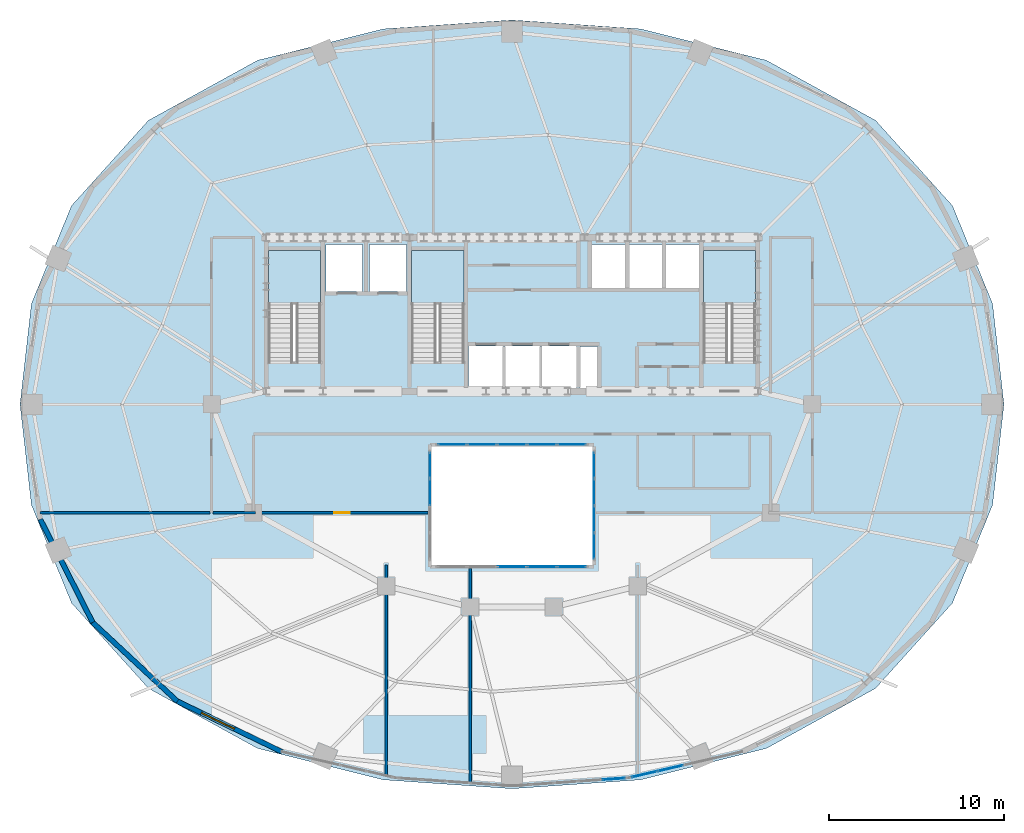
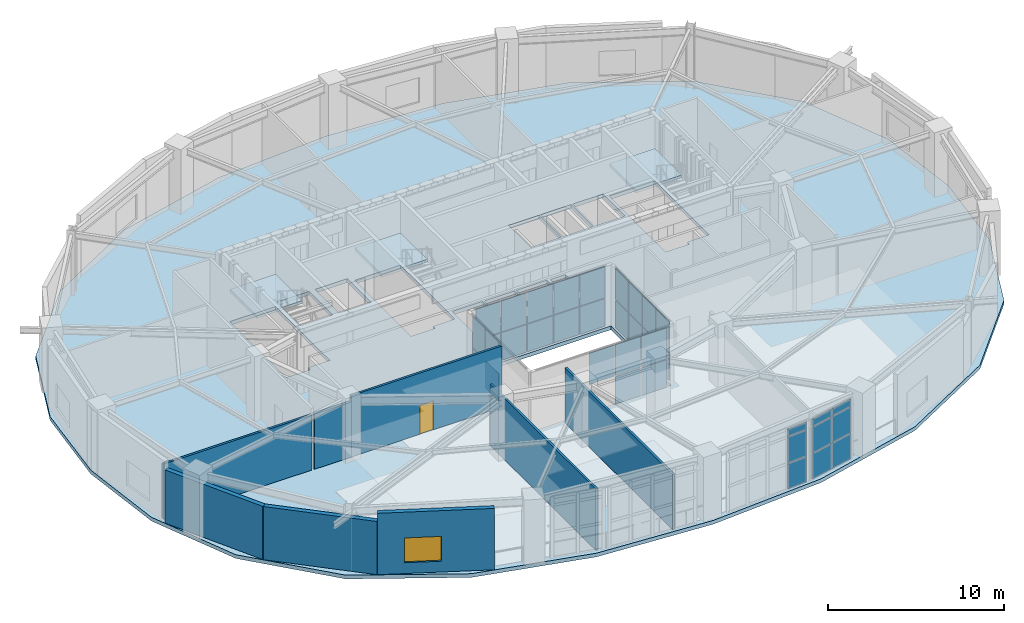
# One storey, part 8 of 13: 36 plates, 8 walls, 4 slabs, 1 door, 1 window, 2 openings, 9 elements without a shape of their own.
"""IFC4 building model written with IfcOpenShell, lengths in metres."""

from ifc_helpers import new_model, si_unit, direction, frame, frame_2d, origin, origin_2d, place, context, subcontext, project, spatial, polyline, rectangle, outline, extrude, material, layer, layer_set, type_object, element, fill, aggregate, save


model = new_model("IFC4")

# Units and contexts
model_context = context("Model", 3, precision=1e-05, world=origin(), true_north=direction((0.0, 1.0)))
body_context = subcontext(model_context, "Body", "Model", "MODEL_VIEW")
ifc_project = project(units=[si_unit("LENGTHUNIT", "METRE"), si_unit("AREAUNIT", "SQUARE_METRE"), si_unit("VOLUMEUNIT", "CUBIC_METRE"), si_unit("PLANEANGLEUNIT", "RADIAN"), si_unit("MASSUNIT", "GRAM", prefix="KILO")], contexts=[model_context])

# Site, building, storey
site_placement = place(None, origin())
site = spatial("IfcSite", under=ifc_project, at=site_placement, CompositionType="ELEMENT")
building_placement = place(site_placement, origin())
building = spatial("IfcBuilding", under=site, at=building_placement, Name="Haldorwick Loom Tower", CompositionType="ELEMENT")
storey_placement = place(building_placement, frame((0.0, 0.0, 188.949951171875)))
storey = spatial("IfcBuildingStorey", under=building, at=storey_placement, Name="L51", CompositionType="ELEMENT", Elevation=188.949951171875)

# Curtain wall, plates
ifc_material_1 = material(Name="Thermally Broken Anodized Aluminium Curtain Wall Framing", Category="aluminium")
curtain_wall_type_1 = type_object("IfcCurtainWallType", Name="ARC-CW-03", PredefinedType="NOTDEFINED", material=ifc_material_1)
curtain_wall_1_placement = place(storey_placement, origin())
curtain_wall_1 = element("IfcCurtainWall", 1, at=curtain_wall_1_placement, inside=storey, type_object=curtain_wall_type_1, Name="L51 Atrium Glazed Screen S", PredefinedType="NOTDEFINED")
ifc_material_2 = material(Name="Triple-Glazed Low-E Argon Insulated Glazing Unit", Category="glass")
ifc_layer_1 = layer(ifc_material_2, 0.04296875, Name="Triple-Glazed Low-E Argon Insulated Glazing Unit", Category="glass")
ifc_layer_set_1 = layer_set([ifc_layer_1], Name="Triple-Glazed Low-E Argon Insulated Glazing Unit")
plate_type_1 = type_object("IfcPlateType", Name="ARC-CWP-03", PredefinedType="CURTAIN_PANEL", material=ifc_layer_set_1)
plate_1_placement = place(storey_placement, frame((39.423583984375, 16.699951171875, 0.066162109375), z_axis=(0.0, 0.0, 1.0), x_axis=(-1.0, 0.0, 0.0)))
plate_1 = element("IfcPlate", 2, at=plate_1_placement, type_object=plate_type_1, Name="CW-03 panel 1.1", PredefinedType="CURTAIN_PANEL", context=body_context, shape_type="SweptSolid", body=[
    extrude(rectangle(XDim=1.62109375, YDim=0.04296875, at=origin_2d()), origin(), (0.0, 0.0, 1.0), 1.90087890625),
])
plate_2_placement = place(storey_placement, frame((39.423583984375, 16.699951171875, 2.033203125), z_axis=(0.0, 0.0, 1.0), x_axis=(-1.0, 0.0, 0.0)))
plate_2 = element("IfcPlate", 3, at=plate_2_placement, type_object=plate_type_1, Name="CW-03 panel 1.2", PredefinedType="CURTAIN_PANEL", context=body_context, shape_type="SweptSolid", body=[
    extrude(rectangle(XDim=1.62109375, YDim=0.04296875, at=origin_2d()), origin(), (0.0, 0.0, 1.0), 2.160888671875),
])
plate_3_placement = place(storey_placement, frame((37.719970703125, 16.699951171875, 0.066162109375), z_axis=(0.0, 0.0, 1.0), x_axis=(-1.0, 0.0, 0.0)))
plate_3 = element("IfcPlate", 4, at=plate_3_placement, type_object=plate_type_1, Name="CW-03 panel 2.1", PredefinedType="CURTAIN_PANEL", context=body_context, shape_type="SweptSolid", body=[
    extrude(rectangle(XDim=1.654052734375, YDim=0.04296875, at=origin_2d()), origin(), (0.0, 0.0, 1.0), 1.90087890625),
])
plate_4_placement = place(storey_placement, frame((37.719970703125, 16.699951171875, 2.033203125), z_axis=(0.0, 0.0, 1.0), x_axis=(-1.0, 0.0, 0.0)))
plate_4 = element("IfcPlate", 5, at=plate_4_placement, type_object=plate_type_1, Name="CW-03 panel 2.2", PredefinedType="CURTAIN_PANEL", context=body_context, shape_type="SweptSolid", body=[
    extrude(rectangle(XDim=1.654052734375, YDim=0.04296875, at=origin_2d()), origin(), (0.0, 0.0, 1.0), 2.160888671875),
])
plate_5_placement = place(storey_placement, frame((36.0, 16.699951171875, 2.033203125), z_axis=(0.0, 0.0, 1.0), x_axis=(-1.0, 0.0, 0.0)))
plate_5 = element("IfcPlate", 6, at=plate_5_placement, type_object=plate_type_1, Name="CW-03 panel 3.2", PredefinedType="CURTAIN_PANEL", context=body_context, shape_type="SweptSolid", body=[
    extrude(rectangle(XDim=1.654052734375, YDim=0.04296875, at=origin_2d()), origin(), (0.0, 0.0, 1.0), 2.160888671875),
])
aggregate(curtain_wall_1, [plate_1, plate_2, plate_3, plate_4, plate_5])

curtain_wall_2_placement = place(storey_placement, origin())
curtain_wall_2 = element("IfcCurtainWall", 7, at=curtain_wall_2_placement, inside=storey, type_object=curtain_wall_type_1, Name="L51 Atrium Glazed Screen N", PredefinedType="NOTDEFINED")
plate_6_placement = place(storey_placement, frame((32.576416015625, 23.699951171875, 0.066162109375), z_axis=(0.0, 0.0, 1.0), x_axis=(1.0, 0.0, 0.0)))
plate_6 = element("IfcPlate", 8, at=plate_6_placement, type_object=plate_type_1, Name="CW-03 panel 1.1", PredefinedType="CURTAIN_PANEL", context=body_context, shape_type="SweptSolid", body=[
    extrude(rectangle(XDim=1.62109375, YDim=0.04296875, at=origin_2d()), origin(), (0.0, 0.0, 1.0), 1.90087890625),
])
plate_7_placement = place(storey_placement, frame((32.576416015625, 23.699951171875, 2.033203125), z_axis=(0.0, 0.0, 1.0), x_axis=(1.0, 0.0, 0.0)))
plate_7 = element("IfcPlate", 9, at=plate_7_placement, type_object=plate_type_1, Name="CW-03 panel 1.2", PredefinedType="CURTAIN_PANEL", context=body_context, shape_type="SweptSolid", body=[
    extrude(rectangle(XDim=1.62109375, YDim=0.04296875, at=origin_2d()), origin(), (0.0, 0.0, 1.0), 2.160888671875),
])
plate_8_placement = place(storey_placement, frame((34.280029296875, 23.699951171875, 0.066162109375), z_axis=(0.0, 0.0, 1.0), x_axis=(1.0, 0.0, 0.0)))
plate_8 = element("IfcPlate", 10, at=plate_8_placement, type_object=plate_type_1, Name="CW-03 panel 2.1", PredefinedType="CURTAIN_PANEL", context=body_context, shape_type="SweptSolid", body=[
    extrude(rectangle(XDim=1.654052734375, YDim=0.04296875, at=origin_2d()), origin(), (0.0, 0.0, 1.0), 1.90087890625),
])
plate_9_placement = place(storey_placement, frame((34.280029296875, 23.699951171875, 2.033203125), z_axis=(0.0, 0.0, 1.0), x_axis=(1.0, 0.0, 0.0)))
plate_9 = element("IfcPlate", 11, at=plate_9_placement, type_object=plate_type_1, Name="CW-03 panel 2.2", PredefinedType="CURTAIN_PANEL", context=body_context, shape_type="SweptSolid", body=[
    extrude(rectangle(XDim=1.654052734375, YDim=0.04296875, at=origin_2d()), origin(), (0.0, 0.0, 1.0), 2.160888671875),
])
plate_10_placement = place(storey_placement, frame((36.0, 23.699951171875, 0.066162109375), z_axis=(0.0, 0.0, 1.0), x_axis=(1.0, 0.0, 0.0)))
plate_10 = element("IfcPlate", 12, at=plate_10_placement, type_object=plate_type_1, Name="CW-03 panel 3.1", PredefinedType="CURTAIN_PANEL", context=body_context, shape_type="SweptSolid", body=[
    extrude(rectangle(XDim=1.654052734375, YDim=0.04296875, at=origin_2d()), origin(), (0.0, 0.0, 1.0), 1.90087890625),
])
plate_11_placement = place(storey_placement, frame((36.0, 23.699951171875, 2.033203125), z_axis=(0.0, 0.0, 1.0), x_axis=(1.0, 0.0, 0.0)))
plate_11 = element("IfcPlate", 13, at=plate_11_placement, type_object=plate_type_1, Name="CW-03 panel 3.2", PredefinedType="CURTAIN_PANEL", context=body_context, shape_type="SweptSolid", body=[
    extrude(rectangle(XDim=1.654052734375, YDim=0.04296875, at=origin_2d()), origin(), (0.0, 0.0, 1.0), 2.160888671875),
])
plate_12_placement = place(storey_placement, frame((37.719970703125, 23.699951171875, 0.066162109375), z_axis=(0.0, 0.0, 1.0), x_axis=(1.0, 0.0, 0.0)))
plate_12 = element("IfcPlate", 14, at=plate_12_placement, type_object=plate_type_1, Name="CW-03 panel 4.1", PredefinedType="CURTAIN_PANEL", context=body_context, shape_type="SweptSolid", body=[
    extrude(rectangle(XDim=1.654052734375, YDim=0.04296875, at=origin_2d()), origin(), (0.0, 0.0, 1.0), 1.90087890625),
])
plate_13_placement = place(storey_placement, frame((37.719970703125, 23.699951171875, 2.033203125), z_axis=(0.0, 0.0, 1.0), x_axis=(1.0, 0.0, 0.0)))
plate_13 = element("IfcPlate", 15, at=plate_13_placement, type_object=plate_type_1, Name="CW-03 panel 4.2", PredefinedType="CURTAIN_PANEL", context=body_context, shape_type="SweptSolid", body=[
    extrude(rectangle(XDim=1.654052734375, YDim=0.04296875, at=origin_2d()), origin(), (0.0, 0.0, 1.0), 2.160888671875),
])
plate_14_placement = place(storey_placement, frame((39.423583984375, 23.699951171875, 0.066162109375), z_axis=(0.0, 0.0, 1.0), x_axis=(1.0, 0.0, 0.0)))
plate_14 = element("IfcPlate", 16, at=plate_14_placement, type_object=plate_type_1, Name="CW-03 panel 5.1", PredefinedType="CURTAIN_PANEL", context=body_context, shape_type="SweptSolid", body=[
    extrude(rectangle(XDim=1.62109375, YDim=0.04296875, at=origin_2d()), origin(), (0.0, 0.0, 1.0), 1.90087890625),
])
plate_15_placement = place(storey_placement, frame((39.423583984375, 23.699951171875, 2.033203125), z_axis=(0.0, 0.0, 1.0), x_axis=(1.0, 0.0, 0.0)))
plate_15 = element("IfcPlate", 17, at=plate_15_placement, type_object=plate_type_1, Name="CW-03 panel 5.2", PredefinedType="CURTAIN_PANEL", context=body_context, shape_type="SweptSolid", body=[
    extrude(rectangle(XDim=1.62109375, YDim=0.04296875, at=origin_2d()), origin(), (0.0, 0.0, 1.0), 2.160888671875),
])
aggregate(curtain_wall_2, [plate_6, plate_7, plate_8, plate_9, plate_10, plate_11, plate_12, plate_13, plate_14, plate_15])

curtain_wall_3_placement = place(storey_placement, origin())
curtain_wall_3 = element("IfcCurtainWall", 18, at=curtain_wall_3_placement, inside=storey, type_object=curtain_wall_type_1, Name="L51 Atrium Glazed Screen W", PredefinedType="NOTDEFINED")
plate_16_placement = place(storey_placement, frame((31.300048828125, 20.97509765625, 0.066162109375), z_axis=(0.0, 0.0, 1.0), x_axis=(0.0, 1.0, 0.0)))
plate_16 = element("IfcPlate", 19, at=plate_16_placement, type_object=plate_type_1, Name="CW-03 panel 3.1", PredefinedType="CURTAIN_PANEL", context=body_context, shape_type="SweptSolid", body=[
    extrude(rectangle(XDim=1.48388671875, YDim=0.04296875, at=origin_2d()), origin(), (0.0, 0.0, 1.0), 1.90087890625),
])
plate_17_placement = place(storey_placement, frame((31.300048828125, 20.97509765625, 2.033203125), z_axis=(0.0, 0.0, 1.0), x_axis=(0.0, 1.0, 0.0)))
plate_17 = element("IfcPlate", 20, at=plate_17_placement, type_object=plate_type_1, Name="CW-03 panel 3.2", PredefinedType="CURTAIN_PANEL", context=body_context, shape_type="SweptSolid", body=[
    extrude(rectangle(XDim=1.48388671875, YDim=0.04296875, at=origin_2d()), origin(), (0.0, 0.0, 1.0), 2.160888671875),
])
plate_18_placement = place(storey_placement, frame((31.300048828125, 22.508544921875, 0.066162109375), z_axis=(0.0, 0.0, 1.0), x_axis=(0.0, 1.0, 0.0)))
plate_18 = element("IfcPlate", 21, at=plate_18_placement, type_object=plate_type_1, Name="CW-03 panel 4.1", PredefinedType="CURTAIN_PANEL", context=body_context, shape_type="SweptSolid", body=[
    extrude(rectangle(XDim=1.450927734375, YDim=0.04296875, at=origin_2d()), origin(), (0.0, 0.0, 1.0), 1.90087890625),
])
plate_19_placement = place(storey_placement, frame((31.300048828125, 22.508544921875, 2.033203125), z_axis=(0.0, 0.0, 1.0), x_axis=(0.0, 1.0, 0.0)))
plate_19 = element("IfcPlate", 22, at=plate_19_placement, type_object=plate_type_1, Name="CW-03 panel 4.2", PredefinedType="CURTAIN_PANEL", context=body_context, shape_type="SweptSolid", body=[
    extrude(rectangle(XDim=1.450927734375, YDim=0.04296875, at=origin_2d()), origin(), (0.0, 0.0, 1.0), 2.160888671875),
])
aggregate(curtain_wall_3, [plate_16, plate_17, plate_18, plate_19])

curtain_wall_4_placement = place(storey_placement, origin())
curtain_wall_4 = element("IfcCurtainWall", 23, at=curtain_wall_4_placement, inside=storey, type_object=curtain_wall_type_1, Name="L51 Atrium Glazed Screen E", PredefinedType="NOTDEFINED")
plate_20_placement = place(storey_placement, frame((40.699951171875, 22.508544921875, 0.066162109375), z_axis=(0.0, 0.0, 1.0), x_axis=(0.0, -1.0, 0.0)))
plate_20 = element("IfcPlate", 24, at=plate_20_placement, type_object=plate_type_1, Name="CW-03 panel 1.1", PredefinedType="CURTAIN_PANEL", context=body_context, shape_type="SweptSolid", body=[
    extrude(rectangle(XDim=1.450927734375, YDim=0.04296875, at=origin_2d()), origin(), (0.0, 0.0, 1.0), 1.90087890625),
])
plate_21_placement = place(storey_placement, frame((40.699951171875, 22.508544921875, 2.033203125), z_axis=(0.0, 0.0, 1.0), x_axis=(0.0, -1.0, 0.0)))
plate_21 = element("IfcPlate", 25, at=plate_21_placement, type_object=plate_type_1, Name="CW-03 panel 1.2", PredefinedType="CURTAIN_PANEL", context=body_context, shape_type="SweptSolid", body=[
    extrude(rectangle(XDim=1.450927734375, YDim=0.04296875, at=origin_2d()), origin(), (0.0, 0.0, 1.0), 2.160888671875),
])
plate_22_placement = place(storey_placement, frame((40.699951171875, 20.97509765625, 0.066162109375), z_axis=(0.0, 0.0, 1.0), x_axis=(0.0, -1.0, 0.0)))
plate_22 = element("IfcPlate", 26, at=plate_22_placement, type_object=plate_type_1, Name="CW-03 panel 2.1", PredefinedType="CURTAIN_PANEL", context=body_context, shape_type="SweptSolid", body=[
    extrude(rectangle(XDim=1.48388671875, YDim=0.04296875, at=origin_2d()), origin(), (0.0, 0.0, 1.0), 1.90087890625),
])
plate_23_placement = place(storey_placement, frame((40.699951171875, 20.97509765625, 2.033203125), z_axis=(0.0, 0.0, 1.0), x_axis=(0.0, -1.0, 0.0)))
plate_23 = element("IfcPlate", 27, at=plate_23_placement, type_object=plate_type_1, Name="CW-03 panel 2.2", PredefinedType="CURTAIN_PANEL", context=body_context, shape_type="SweptSolid", body=[
    extrude(rectangle(XDim=1.48388671875, YDim=0.04296875, at=origin_2d()), origin(), (0.0, 0.0, 1.0), 2.160888671875),
])
plate_24_placement = place(storey_placement, frame((40.699951171875, 19.425048828125, 0.066162109375), z_axis=(0.0, 0.0, 1.0), x_axis=(0.0, -1.0, 0.0)))
plate_24 = element("IfcPlate", 28, at=plate_24_placement, type_object=plate_type_1, Name="CW-03 panel 3.1", PredefinedType="CURTAIN_PANEL", context=body_context, shape_type="SweptSolid", body=[
    extrude(rectangle(XDim=1.48388671875, YDim=0.04296875, at=origin_2d()), origin(), (0.0, 0.0, 1.0), 1.90087890625),
])
plate_25_placement = place(storey_placement, frame((40.699951171875, 19.425048828125, 2.033203125), z_axis=(0.0, 0.0, 1.0), x_axis=(0.0, -1.0, 0.0)))
plate_25 = element("IfcPlate", 29, at=plate_25_placement, type_object=plate_type_1, Name="CW-03 panel 3.2", PredefinedType="CURTAIN_PANEL", context=body_context, shape_type="SweptSolid", body=[
    extrude(rectangle(XDim=1.48388671875, YDim=0.04296875, at=origin_2d()), origin(), (0.0, 0.0, 1.0), 2.160888671875),
])
plate_26_placement = place(storey_placement, frame((40.699951171875, 17.8916015625, 0.066162109375), z_axis=(0.0, 0.0, 1.0), x_axis=(0.0, -1.0, 0.0)))
plate_26 = element("IfcPlate", 30, at=plate_26_placement, type_object=plate_type_1, Name="CW-03 panel 4.1", PredefinedType="CURTAIN_PANEL", context=body_context, shape_type="SweptSolid", body=[
    extrude(rectangle(XDim=1.450927734375, YDim=0.04296875, at=origin_2d()), origin(), (0.0, 0.0, 1.0), 1.90087890625),
])
plate_27_placement = place(storey_placement, frame((40.699951171875, 17.8916015625, 2.033203125), z_axis=(0.0, 0.0, 1.0), x_axis=(0.0, -1.0, 0.0)))
plate_27 = element("IfcPlate", 31, at=plate_27_placement, type_object=plate_type_1, Name="CW-03 panel 4.2", PredefinedType="CURTAIN_PANEL", context=body_context, shape_type="SweptSolid", body=[
    extrude(rectangle(XDim=1.450927734375, YDim=0.04296875, at=origin_2d()), origin(), (0.0, 0.0, 1.0), 2.160888671875),
])
aggregate(curtain_wall_4, [plate_20, plate_21, plate_22, plate_23, plate_24, plate_25, plate_26, plate_27])

curtain_wall_type_2 = type_object("IfcCurtainWallType", Name="ARC-CW-05", PredefinedType="NOTDEFINED", material=ifc_material_1)
curtain_wall_5_placement = place(storey_placement, origin())
curtain_wall_5 = element("IfcCurtainWall", 32, at=curtain_wall_5_placement, inside=storey, type_object=curtain_wall_type_2, Name="L51 Facade Curtain Wall CW-05 Bay 19", PredefinedType="NOTDEFINED")
ifc_layer_2 = layer(ifc_material_2, 0.049072265625, Name="Triple-Glazed Low-E Argon Insulated Glazing Unit", Category="glass")
ifc_layer_set_2 = layer_set([ifc_layer_2], Name="Triple-Glazed Low-E Argon Insulated Glazing Unit")
plate_type_2 = type_object("IfcPlateType", Name="ARC-CWP-05", PredefinedType="CURTAIN_PANEL", material=ifc_layer_set_2)
plate_28_placement = place(storey_placement, frame((41.822265625, 4.554931640625, 0.068115234375), z_axis=(0.0, 0.0, 1.0), x_axis=(0.997650196741, 0.068513392431, 0.0)))
plate_28 = element("IfcPlate", 33, at=plate_28_placement, type_object=plate_type_2, Name="CW-05 panel 4.1", PredefinedType="CURTAIN_PANEL", context=body_context, shape_type="SweptSolid", body=[
    extrude(rectangle(XDim=1.27392578125, YDim=0.049072265625, at=origin_2d()), origin(), (0.0, 0.0, 1.0), 1.748046875),
])
plate_29_placement = place(storey_placement, frame((41.822265625, 4.554931640625, 1.88427734375), z_axis=(0.0, 0.0, 1.0), x_axis=(0.997650196741, 0.068513392431, 0.0)))
plate_29 = element("IfcPlate", 34, at=plate_29_placement, type_object=plate_type_2, Name="CW-05 panel 4.2", PredefinedType="CURTAIN_PANEL", context=body_context, shape_type="SweptSolid", body=[
    extrude(rectangle(XDim=1.27392578125, YDim=0.049072265625, at=origin_2d()), origin(), (0.0, 0.0, 1.0), 1.781982421875),
])
plate_30_placement = place(storey_placement, frame((41.822265625, 4.554931640625, 3.734130859375), z_axis=(0.0, 0.0, 1.0), x_axis=(0.997650196741, 0.068513392431, 0.0)))
plate_30 = element("IfcPlate", 35, at=plate_30_placement, type_object=plate_type_2, Name="CW-05 panel 4.3", PredefinedType="CURTAIN_PANEL", context=body_context, shape_type="SweptSolid", body=[
    extrude(rectangle(XDim=1.27392578125, YDim=0.049072265625, at=origin_2d()), origin(), (0.0, 0.0, 1.0), 0.4580078125),
])
aggregate(curtain_wall_5, [plate_28, plate_29, plate_30])

curtain_wall_6_placement = place(storey_placement, origin())
curtain_wall_6 = element("IfcCurtainWall", 36, at=curtain_wall_6_placement, inside=storey, type_object=curtain_wall_type_2, Name="L51 Facade Curtain Wall CW-05 Bay 20", PredefinedType="NOTDEFINED")
plate_31_placement = place(storey_placement, frame((43.579345703125, 4.822998046875, 0.068115234375), z_axis=(0.0, 0.0, 1.0), x_axis=(0.974556585323, 0.224141611493, 0.0)))
plate_31 = element("IfcPlate", 37, at=plate_31_placement, type_object=plate_type_2, Name="CW-05 panel 1.1", PredefinedType="CURTAIN_PANEL", context=body_context, shape_type="SweptSolid", body=[
    extrude(rectangle(XDim=1.459716796875, YDim=0.049072265625, at=origin_2d()), origin(), (0.0, 0.0, 1.0), 1.748046875),
])
plate_32_placement = place(storey_placement, frame((43.579345703125, 4.822998046875, 1.88427734375), z_axis=(0.0, 0.0, 1.0), x_axis=(0.974556585323, 0.224141611493, 0.0)))
plate_32 = element("IfcPlate", 38, at=plate_32_placement, type_object=plate_type_2, Name="CW-05 panel 1.2", PredefinedType="CURTAIN_PANEL", context=body_context, shape_type="SweptSolid", body=[
    extrude(rectangle(XDim=1.459716796875, YDim=0.049072265625, at=origin_2d()), origin(), (0.0, 0.0, 1.0), 1.781982421875),
])
plate_33_placement = place(storey_placement, frame((43.579345703125, 4.822998046875, 3.734130859375), z_axis=(0.0, 0.0, 1.0), x_axis=(0.974556585323, 0.224141611493, 0.0)))
plate_33 = element("IfcPlate", 39, at=plate_33_placement, type_object=plate_type_2, Name="CW-05 panel 1.3", PredefinedType="CURTAIN_PANEL", context=body_context, shape_type="SweptSolid", body=[
    extrude(rectangle(XDim=1.459716796875, YDim=0.049072265625, at=origin_2d()), origin(), (0.0, 0.0, 1.0), 0.4580078125),
])
plate_34_placement = place(storey_placement, frame((45.068115234375, 5.16552734375, 0.068115234375), z_axis=(0.0, 0.0, 1.0), x_axis=(0.974556585323, 0.224141611493, 0.0)))
plate_34 = element("IfcPlate", 40, at=plate_34_placement, type_object=plate_type_2, Name="CW-05 panel 2.1", PredefinedType="CURTAIN_PANEL", context=body_context, shape_type="SweptSolid", body=[
    extrude(rectangle(XDim=1.459716796875, YDim=0.049072265625, at=origin_2d()), origin(), (0.0, 0.0, 1.0), 1.748046875),
])
plate_35_placement = place(storey_placement, frame((45.068115234375, 5.16552734375, 1.88427734375), z_axis=(0.0, 0.0, 1.0), x_axis=(0.974556585323, 0.224141611493, 0.0)))
plate_35 = element("IfcPlate", 41, at=plate_35_placement, type_object=plate_type_2, Name="CW-05 panel 2.2", PredefinedType="CURTAIN_PANEL", context=body_context, shape_type="SweptSolid", body=[
    extrude(rectangle(XDim=1.459716796875, YDim=0.049072265625, at=origin_2d()), origin(), (0.0, 0.0, 1.0), 1.781982421875),
])
plate_36_placement = place(storey_placement, frame((45.068115234375, 5.16552734375, 3.734130859375), z_axis=(0.0, 0.0, 1.0), x_axis=(0.974556585323, 0.224141611493, 0.0)))
plate_36 = element("IfcPlate", 42, at=plate_36_placement, type_object=plate_type_2, Name="CW-05 panel 2.3", PredefinedType="CURTAIN_PANEL", context=body_context, shape_type="SweptSolid", body=[
    extrude(rectangle(XDim=1.459716796875, YDim=0.049072265625, at=origin_2d()), origin(), (0.0, 0.0, 1.0), 0.4580078125),
])
aggregate(curtain_wall_6, [plate_31, plate_32, plate_33, plate_34, plate_35, plate_36])

# Slab
ifc_material_3 = material(Name="Concrete C40 (40 MPa)", Category="concrete")
ifc_layer_3 = layer(ifc_material_3, 0.260009765625, Name="Concrete C40 (40 MPa)", Category="concrete")
ifc_layer_set_3 = layer_set([ifc_layer_3], Name="Concrete C40 (40 MPa)")
slab_type_1 = type_object("IfcSlabType", Name="STR-SLB-COMM260", PredefinedType="FLOOR", material=ifc_layer_set_3)
slab_1_placement = place(storey_placement, frame((0.0, 0.0, -0.260009765625)))
element("IfcSlab", 43, at=slab_1_placement, inside=storey, type_object=slab_type_1, Name="L51 Community Sky-Floor Slab", PredefinedType="FLOOR", context=body_context, shape_type="SweptSolid", body=[
    extrude(outline(polyline([(56.812744140625, 9.739990234375), (61.2158203125, 14.626220703125), (63.5126953125, 20.240478515625), (64.16650390625, 26.0), (63.5126953125, 31.759521484375), (61.2158203125, 37.373779296875), (56.812744140625, 42.260009765625), (50.558349609375, 45.699951171875), (43.3720703125, 47.494384765625), (36.0, 48.0048828125), (28.6279296875, 47.494384765625), (21.441650390625, 45.699951171875), (15.187255859375, 42.260009765625), (10.7841796875, 37.373779296875), (8.4873046875, 31.759521484375), (7.83349609375, 26.0), (8.4873046875, 20.240478515625), (10.7841796875, 14.626220703125), (15.187255859375, 9.739990234375), (21.441650390625, 6.300048828125), (28.6279296875, 4.505615234375), (36.0, 3.9951171875), (43.3720703125, 4.505615234375), (50.558349609375, 6.300048828125), (56.812744140625, 9.739990234375)]), holes=[polyline([(31.39990234375, 16.800048828125), (31.39990234375, 23.60009765625), (40.60009765625, 23.60009765625), (40.60009765625, 16.800048828125), (31.39990234375, 16.800048828125)]), polyline([(33.5, 26.85009765625), (33.5, 29.35009765625), (35.5, 29.35009765625), (35.5, 26.85009765625), (33.5, 26.85009765625)]), polyline([(35.60009765625, 26.85009765625), (35.60009765625, 29.35009765625), (37.60009765625, 29.35009765625), (37.60009765625, 26.85009765625), (35.60009765625, 26.85009765625)]), polyline([(23.6201171875, 28.39990234375), (22.050048828125, 28.39990234375), (22.050048828125, 34.800048828125), (25.050048828125, 34.800048828125), (25.050048828125, 28.639892578125), (23.6201171875, 28.639892578125), (23.6201171875, 28.39990234375)]), polyline([(30.25, 28.39990234375), (30.25, 34.800048828125), (33.25, 34.800048828125), (33.25, 28.639892578125), (31.820068359375, 28.639892578125), (31.820068359375, 28.39990234375), (30.25, 28.39990234375)]), polyline([(25.35009765625, 32.449951171875), (25.35009765625, 35.14990234375), (27.449951171875, 35.14990234375), (27.449951171875, 32.449951171875), (25.35009765625, 32.449951171875)]), polyline([(29.949951171875, 32.449951171875), (27.85009765625, 32.449951171875), (27.85009765625, 35.14990234375), (29.949951171875, 35.14990234375), (29.949951171875, 32.449951171875)]), polyline([(37.699951171875, 26.85009765625), (37.699951171875, 29.35009765625), (39.699951171875, 29.35009765625), (39.699951171875, 26.85009765625), (37.699951171875, 26.85009765625)]), polyline([(39.89990234375, 26.89990234375), (39.89990234375, 29.300048828125), (40.89990234375, 29.300048828125), (40.89990234375, 26.89990234375), (39.89990234375, 26.89990234375)]), polyline([(46.949951171875, 28.39990234375), (46.949951171875, 34.800048828125), (49.949951171875, 34.800048828125), (49.949951171875, 28.639892578125), (48.52001953125, 28.639892578125), (48.52001953125, 28.39990234375), (46.949951171875, 28.39990234375)]), polyline([(40.550048828125, 32.64990234375), (40.550048828125, 35.14990234375), (42.550048828125, 35.14990234375), (42.550048828125, 32.64990234375), (40.550048828125, 32.64990234375)]), polyline([(42.64990234375, 32.64990234375), (42.64990234375, 35.14990234375), (44.64990234375, 35.14990234375), (44.64990234375, 32.64990234375), (42.64990234375, 32.64990234375)]), polyline([(44.75, 32.64990234375), (44.75, 35.14990234375), (46.75, 35.14990234375), (46.75, 32.64990234375), (44.75, 32.64990234375)])]), origin(), (0.0, 0.0, 1.0), 0.260009765625),
])

# Stair, slab
stair_type = type_object("IfcStairType", Name="STR-STR-CORE", PredefinedType="HALF_TURN_STAIR", material=ifc_material_3)
stair_1_placement = place(storey_placement, origin())
stair_1 = element("IfcStair", 44, at=stair_1_placement, inside=storey, type_object=stair_type, Name="L51 Exit Stair ST-01", PredefinedType="HALF_TURN_STAIR")
ifc_layer_4 = layer(ifc_material_3, 0.199951171875, Name="Concrete C40 (40 MPa)", Category="concrete")
ifc_layer_set_4 = layer_set([ifc_layer_4], Name="Concrete C40 (40 MPa)")
slab_type_2 = type_object("IfcSlabType", Name="STR-SLB-LAND200", PredefinedType="LANDING", material=ifc_layer_set_4)
slab_2_placement = place(storey_placement, frame((0.0, 0.0, 2.050048828125)))
slab_2 = element("IfcSlab", 45, at=slab_2_placement, type_object=slab_type_2, Name="ST-01 landing 1", PredefinedType="LANDING", context=body_context, shape_type="SweptSolid", body=[
    extrude(outline(polyline([(25.050048828125, 31.760009765625), (25.050048828125, 34.800048828125), (22.050048828125, 34.800048828125), (22.050048828125, 31.760009765625), (25.050048828125, 31.760009765625)])), origin(), (0.0, 0.0, 1.0), 0.199951171875),
])
aggregate(stair_1, [slab_2])

stair_2_placement = place(storey_placement, origin())
stair_2 = element("IfcStair", 46, at=stair_2_placement, inside=storey, type_object=stair_type, Name="L51 Exit Stair ST-02", PredefinedType="HALF_TURN_STAIR")
slab_3_placement = place(storey_placement, frame((0.0, 0.0, 2.050048828125)))
slab_3 = element("IfcSlab", 47, at=slab_3_placement, type_object=slab_type_2, Name="ST-02 landing 1", PredefinedType="LANDING", context=body_context, shape_type="SweptSolid", body=[
    extrude(outline(polyline([(49.949951171875, 31.760009765625), (49.949951171875, 34.800048828125), (46.949951171875, 34.800048828125), (46.949951171875, 31.760009765625), (49.949951171875, 31.760009765625)])), origin(), (0.0, 0.0, 1.0), 0.199951171875),
])
aggregate(stair_2, [slab_3])

stair_3_placement = place(storey_placement, origin())
stair_3 = element("IfcStair", 48, at=stair_3_placement, inside=storey, type_object=stair_type, Name="L51 Exit Stair ST-03", PredefinedType="HALF_TURN_STAIR")
slab_4_placement = place(storey_placement, frame((0.0, 0.0, 2.050048828125)))
slab_4 = element("IfcSlab", 49, at=slab_4_placement, type_object=slab_type_2, Name="ST-03 landing 1", PredefinedType="LANDING", context=body_context, shape_type="SweptSolid", body=[
    extrude(outline(polyline([(33.25, 31.760009765625), (33.25, 34.800048828125), (30.25, 34.800048828125), (30.25, 31.760009765625), (33.25, 31.760009765625)])), origin(), (0.0, 0.0, 1.0), 0.199951171875),
])
aggregate(stair_3, [slab_4])

# Walls
ifc_material_4 = material(Name="Pressed Clay Face Brick and Insulated Masonry Backup Assembly", Category="masonry")
ifc_layer_5 = layer(ifc_material_4, 0.280029296875, Name="Pressed Clay Face Brick and Insulated Masonry Backup Assembly", Category="masonry")
ifc_layer_set_5 = layer_set([ifc_layer_5], Name="Pressed Clay Face Brick and Insulated Masonry Backup Assembly")
wall_type_1 = type_object("IfcWallType", Name="ARC-WL-EXT280", PredefinedType="STANDARD", material=ifc_layer_set_5)
wall_1_placement = place(storey_placement, frame((8.995849609375, 19.415283203125, 0.0), z_axis=(0.0, 0.0, 1.0), x_axis=(0.453032066879, -0.89149422117, 0.0)))
element("IfcWall", 50, at=wall_1_placement, inside=storey, type_object=wall_type_1, Name="L51 Brick Pier and Spandrel Wall 14", PredefinedType="STANDARD", context=body_context, shape_type="SweptSolid", body=[
    extrude(rectangle(XDim=6.618896484375, YDim=0.280029296875, at=frame_2d((3.3095703125, 0.0))), origin(), (0.0, 0.0, 1.0), 3.691162109375),
])
wall_2_placement = place(storey_placement, frame((11.994384765625, 13.5146484375, 0.0), z_axis=(0.0, 0.0, 1.0), x_axis=(0.731833707499, -0.681483253329, 0.0)))
element("IfcWall", 51, at=wall_2_placement, inside=storey, type_object=wall_type_1, Name="L51 Brick Pier and Spandrel Wall 15", PredefinedType="STANDARD", context=body_context, shape_type="SweptSolid", body=[
    extrude(rectangle(XDim=6.61865234375, YDim=0.280029296875, at=frame_2d((3.309326171875, 0.0))), origin(), (0.0, 0.0, 1.0), 3.691162109375),
])

# Wall, opening, window
wall_3_placement = place(storey_placement, frame((16.838134765625, 9.004150390625, 0.0), z_axis=(0.0, 0.0, 1.0), x_axis=(0.900371236029, -0.435122554381, 0.0)))
wall_3 = element("IfcWall", 52, at=wall_3_placement, inside=storey, type_object=wall_type_1, Name="L51 Brick Pier and Spandrel Wall 16", PredefinedType="STANDARD", context=body_context, shape_type="SweptSolid", body=[
    extrude(rectangle(XDim=6.6533203125, YDim=0.280029296875, at=frame_2d((3.32666015625, 0.0))), origin(), (0.0, 0.0, 1.0), 4.260009765625),
])
opening_1_placement = place(wall_3_placement, frame((1.53173828125, 0.0, 0.75)))
opening_1 = element("IfcOpeningElement", 53, at=opening_1_placement, cuts=wall_3, Name="Opening W-04", PredefinedType="OPENING", context=body_context, shape_type="SweptSolid", body=[
    extrude(rectangle(XDim=2.10009765625, YDim=1.719970703125, at=frame_2d((1.050048828125, 0.85986328125))), frame((0.0, 0.14990234375, 0.0), z_axis=(0.0, -1.0, 0.0), x_axis=(1.0, 0.0, 0.0)), (0.0, 0.0, 1.0), 0.300048828125),
])
window_type = type_object("IfcWindowType", Name="ARC-WIN-W210", PartitioningType="SINGLE_PANEL", PredefinedType="WINDOW", material=ifc_material_2)
window_placement = place(opening_1_placement, origin())
window = element("IfcWindow", 54, at=window_placement, inside=storey, type_object=window_type, Name="L51 Deep-Set Zone 7A Window 16", OverallHeight=1.719970703125, OverallWidth=2.10009765625, PartitioningType="SINGLE_PANEL", PredefinedType="WINDOW", context=body_context, shape_type="SweptSolid", body=[
    extrude(rectangle(XDim=2.10009765625, YDim=1.719970703125, at=frame_2d((1.050048828125, 0.85986328125))), frame((0.0, 0.030029296875, 0.0), z_axis=(0.0, -1.0, 0.0), x_axis=(1.0, 0.0, 0.0)), (0.0, 0.0, 1.0), 0.06005859375),
])
fill(opening_1, window)

# Walls
ifc_material_5 = material(Name="Fire-Rated Type X Gypsum Stud Assembly EI 60")
ifc_layer_6 = layer(ifc_material_5, 0.159912109375, Name="Fire-Rated Type X Gypsum Stud Assembly EI 60")
ifc_layer_set_6 = layer_set([ifc_layer_6], Name="Fire-Rated Type X Gypsum Stud Assembly EI 60")
wall_type_2 = type_object("IfcWallType", Name="ARC-WL-FIRE160", PredefinedType="PARTITIONING", material=ifc_layer_set_6)
wall_4_placement = place(storey_placement, frame((18.883056640625, 19.800048828125, 0.0), z_axis=(0.0, 0.0, 1.0), x_axis=(1.0, 0.0, 0.0)))
element("IfcWall", 55, at=wall_4_placement, inside=storey, type_object=wall_type_2, Name="L51 Interior Partition L51-CWS", PredefinedType="PARTITIONING", context=body_context, shape_type="SweptSolid", body=[
    extrude(rectangle(XDim=2.43701171875, YDim=0.159912109375, at=frame_2d((1.218505859375, 0.0))), origin(), (0.0, 0.0, 1.0), 3.822021484375),
])
ifc_layer_7 = layer(ifc_material_5, 0.139892578125, Name="Fire-Rated Type X Gypsum Stud Assembly EI 60")
ifc_layer_set_7 = layer_set([ifc_layer_7], Name="Fire-Rated Type X Gypsum Stud Assembly EI 60")
wall_type_3 = type_object("IfcWallType", Name="ARC-WL-PART140", PredefinedType="PARTITIONING", material=ifc_layer_set_7)
wall_5_placement = place(storey_placement, frame((28.800048828125, 4.781982421875, 0.0), z_axis=(0.0, 0.0, 1.0), x_axis=(0.0, 1.0, 0.0)))
element("IfcWall", 56, at=wall_5_placement, inside=storey, type_object=wall_type_3, Name="L51 Interior Partition L51-S-0", PredefinedType="PARTITIONING", context=body_context, shape_type="SweptSolid", body=[
    extrude(rectangle(XDim=12.01806640625, YDim=0.139892578125, at=frame_2d((6.009033203125, 0.0))), origin(), (0.0, 0.0, 1.0), 4.2451171875),
])
wall_6_placement = place(storey_placement, frame((33.60009765625, 4.364990234375, 0.0), z_axis=(0.0, 0.0, 1.0), x_axis=(0.0, 1.0, 0.0)))
element("IfcWall", 57, at=wall_6_placement, inside=storey, type_object=wall_type_3, Name="L51 Interior Partition L51-S-1", PredefinedType="PARTITIONING", context=body_context, shape_type="SweptSolid", body=[
    extrude(rectangle(XDim=12.23193359375, YDim=0.139892578125, at=frame_2d((6.115966796875, 0.0))), origin(), (0.0, 0.0, 1.0), 3.822021484375),
])
wall_7_placement = place(storey_placement, frame((8.98291015625, 19.800048828125, 0.0), z_axis=(0.0, 0.0, 1.0), x_axis=(1.0, 0.0, 0.0)))
element("IfcWall", 58, at=wall_7_placement, inside=storey, type_object=wall_type_3, Name="L51 Interior Partition L51-WL-S", PredefinedType="PARTITIONING", context=body_context, shape_type="SweptSolid", body=[
    extrude(rectangle(XDim=9.734130859375, YDim=0.139892578125, at=frame_2d((4.8671875, 0.0))), origin(), (0.0, 0.0, 1.0), 3.822021484375),
])

# Wall, opening, door
wall_8_placement = place(storey_placement, frame((21.320068359375, 19.800048828125, 0.0), z_axis=(0.0, 0.0, 1.0), x_axis=(1.0, 0.0, 0.0)))
wall_8 = element("IfcWall", 59, at=wall_8_placement, inside=storey, type_object=wall_type_3, Name="L51 Interior Partition L51-WL-S", PredefinedType="PARTITIONING", context=body_context, shape_type="SweptSolid", body=[
    extrude(rectangle(XDim=9.876953125, YDim=0.139892578125, at=frame_2d((4.9384765625, 0.0))), origin(), (0.0, 0.0, 1.0), 4.2451171875),
])
opening_2_placement = place(wall_8_placement, frame((4.49853515625, 0.0, 0.0)))
opening_2 = element("IfcOpeningElement", 60, at=opening_2_placement, cuts=wall_8, Name="Opening D-FD60A", PredefinedType="OPENING", context=body_context, shape_type="SweptSolid", body=[
    extrude(rectangle(XDim=0.89990234375, YDim=2.0, at=frame_2d((0.449951171875, 1.0))), frame((0.0, 0.079833984375, 0.0), z_axis=(0.0, -1.0, 0.0), x_axis=(1.0, 0.0, 0.0)), (0.0, 0.0, 1.0), 0.159912109375),
])
ifc_material_6 = material(Name="Hollow Steel Fire Door Assembly", Category="steel")
door_type = type_object("IfcDoorType", Name="ARC-DR-FD60-90", OperationType="NOTDEFINED", PredefinedType="DOOR", material=ifc_material_6)
door_placement = place(opening_2_placement, origin())
door = element("IfcDoor", 61, at=door_placement, inside=storey, type_object=door_type, Name="L51 Maker Craft Workshop 3 to Community Teaching Lab 2 Door", OperationType="SINGLE_SWING_LEFT", OverallHeight=2.0, OverallWidth=0.89990234375, PredefinedType="DOOR", context=body_context, shape_type="SweptSolid", body=[
    extrude(rectangle(XDim=0.89990234375, YDim=2.0, at=frame_2d((0.449951171875, 1.0))), frame((0.0, 0.02490234375, 0.0), z_axis=(0.0, -1.0, 0.0), x_axis=(1.0, 0.0, 0.0)), (0.0, 0.0, 1.0), 0.050048828125),
])
fill(opening_2, door)

save(model, "model.ifc")
